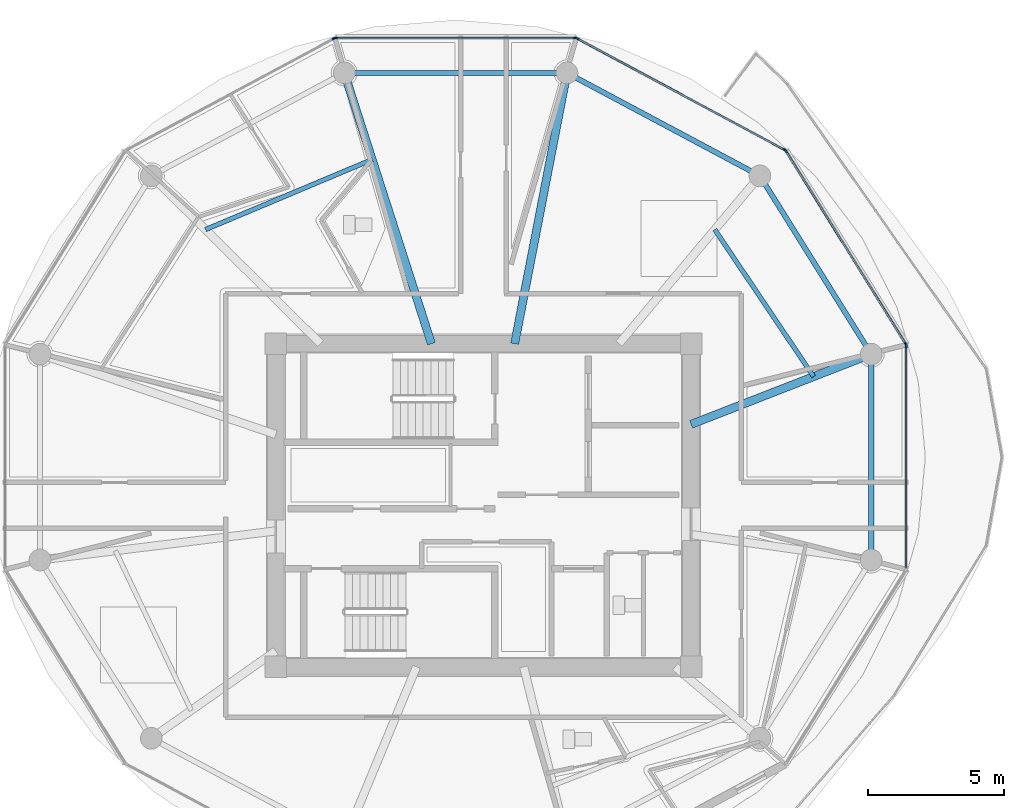
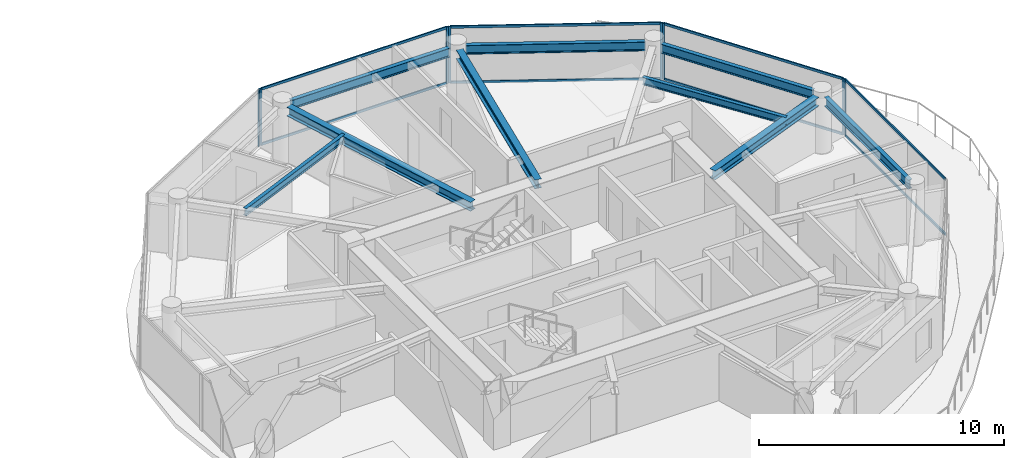
# One storey, part 11 of 25: 16 members, 9 beams, 5 elements without a shape of their own.
"""IFC4 building model written with IfcOpenShell, lengths in metres."""

from ifc_helpers import new_model, si_unit, direction, frame, origin, origin_2d, place, context, subcontext, project, spatial, rectangle, i_section, extrude, source, transform, mapped, material, layer, layer_set, material_profile, profile_set, type_object, type_shapes, element, aggregate, save


model = new_model("IFC4")

# Units and contexts
model_context = context("Model", 3, precision=1e-05, world=origin(), true_north=direction((0.0, 1.0)))
body_context = subcontext(model_context, "Body", "Model", "MODEL_VIEW")
ifc_project = project(units=[si_unit("LENGTHUNIT", "METRE"), si_unit("AREAUNIT", "SQUARE_METRE"), si_unit("VOLUMEUNIT", "CUBIC_METRE"), si_unit("PLANEANGLEUNIT", "RADIAN"), si_unit("MASSUNIT", "GRAM", prefix="KILO")], contexts=[model_context])

# Site, building, storey
site_placement = place(None, origin())
site = spatial("IfcSite", under=ifc_project, at=site_placement, CompositionType="ELEMENT")
building_placement = place(site_placement, origin())
building = spatial("IfcBuilding", under=site, at=building_placement, Name="Norrkilde Senior Care Towers", CompositionType="ELEMENT")
storey_placement = place(building_placement, frame((0.0, 0.0, 161.75)))
storey = spatial("IfcBuildingStorey", under=building, at=storey_placement, Name="L50", CompositionType="ELEMENT", Elevation=161.75)

# Beams
ifc_material_1 = material(Name="Steel S355", Category="steel")
ifc_material_profile_1 = material_profile(ifc_material_1, i_section(OverallWidth=0.18994140625, OverallDepth=0.449951171875, WebThickness=0.009521484375, FlangeThickness=0.0146484375, FilletRadius=0.02099609375, at=origin_2d()), Name="IPE 450")
ifc_profile_set_1 = profile_set([ifc_material_profile_1], Name="Steel S355")
beam_type_1 = type_object("IfcBeamType", Name="Perimeter Ring Spandrel Z3 IPE450", PredefinedType="SPANDREL", material=ifc_profile_set_1)
shared_shape_1 = source(origin(), body_context, "Body", "SweptSolid", [
    extrude(i_section(OverallWidth=0.18994140625, OverallDepth=0.449951171875, WebThickness=0.009521484375, FlangeThickness=0.0146484375, FilletRadius=0.02099609375, at=origin_2d()), origin(), (0.0, 0.0, 1.0), 7.0234375),
])
beam_1_placement = place(storey_placement, frame((42.09423828125, 5.872314453125, 2.5849609375), z_axis=(-0.529789577822, 0.848129119433, 0.0), x_axis=(-0.848129119433, -0.529789577822, 0.0)))
element("IfcBeam", 1, at=beam_1_placement, inside=storey, type_object=beam_type_1, Name="L50 Drum E Perimeter Spandrel 01", PredefinedType="SPANDREL", context=body_context, shape_type="MappedRepresentation", body=[
    mapped(shared_shape_1, transform((0.0, 0.0, 0.0), x_axis=(1.0, 0.0, 0.0), y_axis=(0.0, 1.0, 0.0), z_axis=(0.0, 0.0, 1.0), scale=1.0)),
])
shared_shape_2 = source(origin(), body_context, "Body", "SweptSolid", [
    extrude(i_section(OverallWidth=0.18994140625, OverallDepth=0.449951171875, WebThickness=0.009521484375, FlangeThickness=0.0146484375, FilletRadius=0.02099609375, at=origin_2d()), origin(), (0.0, 0.0, 1.0), 7.333740234375),
])
beam_2_placement = place(storey_placement, frame((37.864990234375, 12.303955078125, 2.5849609375), z_axis=(-0.882247866069, 0.470785198172, 0.0), x_axis=(-0.470785198172, -0.882247866069, 0.0)))
element("IfcBeam", 2, at=beam_2_placement, inside=storey, type_object=beam_type_1, Name="L50 Drum E Perimeter Spandrel 02", PredefinedType="SPANDREL", context=body_context, shape_type="MappedRepresentation", body=[
    mapped(shared_shape_2, transform((0.0, 0.0, 0.0), x_axis=(1.0, 0.0, 0.0), y_axis=(0.0, 1.0, 0.0), z_axis=(0.0, 0.0, 1.0), scale=1.0)),
])
shared_shape_3 = source(origin(), body_context, "Body", "SweptSolid", [
    extrude(i_section(OverallWidth=0.18994140625, OverallDepth=0.449951171875, WebThickness=0.009521484375, FlangeThickness=0.0146484375, FilletRadius=0.02099609375, at=origin_2d()), origin(), (0.0, 0.0, 1.0), 7.484619140625),
])
beam_3_placement = place(storey_placement, frame((30.71728515625, 15.92626953125, 2.5849609375), z_axis=(-1.0, 0.0, 0.0), x_axis=(0.0, -1.0, 0.0)))
element("IfcBeam", 3, at=beam_3_placement, inside=storey, type_object=beam_type_1, Name="L50 Drum E Perimeter Spandrel 03", PredefinedType="SPANDREL", context=body_context, shape_type="MappedRepresentation", body=[
    mapped(shared_shape_3, transform((0.0, 0.0, 0.0), x_axis=(1.0, 0.0, 0.0), y_axis=(0.0, 1.0, 0.0), z_axis=(0.0, 0.0, 1.0), scale=1.0)),
])
ifc_material_profile_2 = material_profile(ifc_material_1, i_section(OverallWidth=0.300048828125, OverallDepth=0.449951171875, WebThickness=0.013916015625, FlangeThickness=0.02587890625, FilletRadius=0.027099609375, at=origin_2d()), Name="HEB 450")
ifc_profile_set_2 = profile_set([ifc_material_profile_2], Name="Steel S355")
beam_type_2 = type_object("IfcBeamType", Name="Radial Floor Beam Z3 HEB450", PredefinedType="BEAM", material=ifc_profile_set_2)
shared_shape_4 = source(origin(), body_context, "Body", "SweptSolid", [
    extrude(i_section(OverallWidth=0.300048828125, OverallDepth=0.449951171875, WebThickness=0.013916015625, FlangeThickness=0.02587890625, FilletRadius=0.027099609375, at=origin_2d()), origin(), (0.0, 0.0, 1.0), 10.120361328125),
])
beam_4_placement = place(storey_placement, frame((26.08447265625, 5.949951171875, 2.5849609375), z_axis=(-0.306440973744, 0.951889662519, 0.0), x_axis=(-0.951889662519, -0.306440973744, 0.0)))
element("IfcBeam", 4, at=beam_4_placement, inside=storey, type_object=beam_type_2, Name="L50 Drum E Radial Floor Beam 04", PredefinedType="BEAM", context=body_context, shape_type="MappedRepresentation", body=[
    mapped(shared_shape_4, transform((0.0, 0.0, 0.0), x_axis=(1.0, 0.0, 0.0), y_axis=(0.0, 1.0, 0.0), z_axis=(0.0, 0.0, 1.0), scale=1.0)),
])
shared_shape_5 = source(origin(), body_context, "Body", "SweptSolid", [
    extrude(i_section(OverallWidth=0.300048828125, OverallDepth=0.449951171875, WebThickness=0.013916015625, FlangeThickness=0.02587890625, FilletRadius=0.027099609375, at=origin_2d()), origin(), (0.0, 0.0, 1.0), 9.80078125),
])
beam_5_placement = place(storey_placement, frame((29.149658203125, 5.949951171875, 2.5849609375), z_axis=(0.189716727661, 0.98183886827, 0.0), x_axis=(-0.98183886827, 0.189716727661, 0.0)))
element("IfcBeam", 5, at=beam_5_placement, inside=storey, type_object=beam_type_2, Name="L50 Drum E Radial Floor Beam 03", PredefinedType="BEAM", context=body_context, shape_type="MappedRepresentation", body=[
    mapped(shared_shape_5, transform((0.0, 0.0, 0.0), x_axis=(1.0, 0.0, 0.0), y_axis=(0.0, 1.0, 0.0), z_axis=(0.0, 0.0, 1.0), scale=1.0)),
])
shared_shape_6 = source(origin(), body_context, "Body", "SweptSolid", [
    extrude(i_section(OverallWidth=0.18994140625, OverallDepth=0.449951171875, WebThickness=0.009521484375, FlangeThickness=0.0146484375, FilletRadius=0.02099609375, at=origin_2d()), origin(), (0.0, 0.0, 1.0), 6.86328125),
])
type_shapes(beam_type_1, [shared_shape_1, shared_shape_2, shared_shape_3, shared_shape_6])
beam_6_placement = place(storey_placement, frame((42.284912109375, -1.65625, 2.5849609375), z_axis=(0.0, 1.0, 0.0), x_axis=(-1.0, 0.0, 0.0)))
element("IfcBeam", 6, at=beam_6_placement, inside=storey, type_object=beam_type_1, Name="L50 Drum E Perimeter Spandrel 12", PredefinedType="SPANDREL", context=body_context, shape_type="MappedRepresentation", body=[
    mapped(shared_shape_6, transform((0.0, 0.0, 0.0), x_axis=(1.0, 0.0, 0.0), y_axis=(0.0, 1.0, 0.0), z_axis=(0.0, 0.0, 1.0), scale=1.0)),
])
shared_shape_7 = source(origin(), body_context, "Body", "SweptSolid", [
    extrude(i_section(OverallWidth=0.300048828125, OverallDepth=0.449951171875, WebThickness=0.013916015625, FlangeThickness=0.02587890625, FilletRadius=0.027099609375, at=origin_2d()), origin(), (0.0, 0.0, 1.0), 6.760986328125),
])
type_shapes(beam_type_2, [shared_shape_4, shared_shape_5, shared_shape_7])
beam_7_placement = place(storey_placement, frame((35.64990234375, 2.981201171875, 2.5849609375), z_axis=(0.931742171387, 0.363120539297, 0.0), x_axis=(-0.363120539297, 0.931742171387, 0.0)))
element("IfcBeam", 7, at=beam_7_placement, inside=storey, type_object=beam_type_2, Name="L50 Drum E Radial Floor Beam 01", PredefinedType="BEAM", context=body_context, shape_type="MappedRepresentation", body=[
    mapped(shared_shape_7, transform((0.0, 0.0, 0.0), x_axis=(1.0, 0.0, 0.0), y_axis=(0.0, 1.0, 0.0), z_axis=(0.0, 0.0, 1.0), scale=1.0)),
])
ifc_material_profile_3 = material_profile(ifc_material_1, i_section(OverallWidth=0.169921875, OverallDepth=0.360107421875, WebThickness=0.008056640625, FlangeThickness=0.0126953125, FilletRadius=0.01806640625, at=origin_2d()), Name="IPE 360")
ifc_profile_set_3 = profile_set([ifc_material_profile_3], Name="Steel S355")
beam_type_3 = type_object("IfcBeamType", Name="Secondary Floor Joist IPE360", PredefinedType="JOIST", material=ifc_profile_set_3)
shared_shape_8 = source(origin(), body_context, "Body", "SweptSolid", [
    extrude(i_section(OverallWidth=0.169921875, OverallDepth=0.360107421875, WebThickness=0.008056640625, FlangeThickness=0.0126953125, FilletRadius=0.01806640625, at=origin_2d()), origin(), (0.0, 0.0, 1.0), 6.657470703125),
])
beam_8_placement = place(storey_placement, frame((23.900390625, 12.73388671875, 2.6298828125), z_axis=(-0.921958799252, -0.387287971, 0.0), x_axis=(0.387287971, -0.921958799252, 0.0)))
element("IfcBeam", 8, at=beam_8_placement, inside=storey, type_object=beam_type_3, Name="L50 Drum E Secondary Floor Joist 2", PredefinedType="JOIST", context=body_context, shape_type="MappedRepresentation", body=[
    mapped(shared_shape_8, transform((0.0, 0.0, 0.0), x_axis=(1.0, 0.0, 0.0), y_axis=(0.0, 1.0, 0.0), z_axis=(0.0, 0.0, 1.0), scale=1.0)),
])
shared_shape_9 = source(origin(), body_context, "Body", "SweptSolid", [
    extrude(i_section(OverallWidth=0.169921875, OverallDepth=0.360107421875, WebThickness=0.008056640625, FlangeThickness=0.0126953125, FilletRadius=0.01806640625, at=origin_2d()), origin(), (0.0, 0.0, 1.0), 6.525390625),
])
type_shapes(beam_type_3, [shared_shape_8, shared_shape_9])
beam_9_placement = place(storey_placement, frame((40.161865234375, 4.739501953125, 2.6298828125), z_axis=(-0.55779590102, 0.829978152005, 0.0), x_axis=(-0.829978152005, -0.55779590102, 0.0)))
element("IfcBeam", 9, at=beam_9_placement, inside=storey, type_object=beam_type_3, Name="L50 Drum E Secondary Floor Joist 1", PredefinedType="JOIST", context=body_context, shape_type="MappedRepresentation", body=[
    mapped(shared_shape_9, transform((0.0, 0.0, 0.0), x_axis=(1.0, 0.0, 0.0), y_axis=(0.0, 1.0, 0.0), z_axis=(0.0, 0.0, 1.0), scale=1.0)),
])

# Curtain wall, members
ifc_material_2 = material(Name="Triple Low-E Insulated Glazing", Category="glass")
ifc_layer = layer(ifc_material_2, 0.18994140625)
ifc_layer_set = layer_set([ifc_layer], Name="Triple Low-E Insulated Glazing")
curtain_wall_type = type_object("IfcCurtainWallType", Name="CW4 Zone 3 Senior Residence Curtain Wall", PredefinedType="NOTDEFINED", material=ifc_layer_set)
curtain_wall_1_placement = place(storey_placement, origin())
curtain_wall_1 = element("IfcCurtainWall", 10, at=curtain_wall_1_placement, inside=storey, type_object=curtain_wall_type, Name="L50 Drum E Curtain Wall 00", PredefinedType="NOTDEFINED")
ifc_material_3 = material(Name="Anodised Aluminium", Category="aluminium")
ifc_material_profile_4 = material_profile(ifc_material_3, rectangle(XDim=0.06494140625, YDim=0.14990234375, at=origin_2d()), Name="ALU MULL 65x150")
ifc_profile_set_4 = profile_set([ifc_material_profile_4], Name="Anodised Aluminium")
member_type_1 = type_object("IfcMemberType", Name="Curtain Wall Mullion Z3-Z4 65x150", PredefinedType="MULLION", material=ifc_profile_set_4)
shared_shape_10 = source(origin(), body_context, "Body", "SweptSolid", [
    extrude(rectangle(XDim=0.06494140625, YDim=0.14990234375, at=origin_2d()), origin(), (0.0, 0.0, 1.0), 2.81005859375),
])
type_shapes(member_type_1, [shared_shape_10])
member_1_placement = place(storey_placement, frame((39.14013671875, 13.04736328125, 0.0), z_axis=(0.0, 0.0, 1.0), x_axis=(0.84963405474, 0.52737270789, 0.0)))
member_1 = element("IfcMember", 11, at=member_1_placement, type_object=member_type_1, Name="CW-4 mullion 1", PredefinedType="MULLION", context=body_context, shape_type="MappedRepresentation", body=[
    mapped(shared_shape_10, transform((0.0, 0.0, 0.0), x_axis=(1.0, 0.0, 0.0), y_axis=(0.0, 1.0, 0.0), z_axis=(0.0, 0.0, 1.0), scale=1.0)),
])
member_2_placement = place(storey_placement, frame((43.552490234375, 5.93896484375, 0.0), z_axis=(0.0, 0.0, 1.0), x_axis=(0.84963405474, 0.52737270789, 0.0)))
member_2 = element("IfcMember", 12, at=member_2_placement, type_object=member_type_1, Name="CW-4 mullion 2", PredefinedType="MULLION", context=body_context, shape_type="MappedRepresentation", body=[
    mapped(shared_shape_10, transform((0.0, 0.0, 0.0), x_axis=(1.0, 0.0, 0.0), y_axis=(0.0, 1.0, 0.0), z_axis=(0.0, 0.0, 1.0), scale=1.0)),
])

curtain_wall_2_placement = place(storey_placement, origin())
curtain_wall_2 = element("IfcCurtainWall", 13, at=curtain_wall_2_placement, inside=storey, type_object=curtain_wall_type, Name="L50 Drum E Curtain Wall 01", PredefinedType="NOTDEFINED")
member_3_placement = place(storey_placement, frame((31.4501953125, 17.195556640625, 0.0), z_axis=(0.0, 0.0, 1.0), x_axis=(0.47311715104, 0.880999524059, 0.0)))
member_3 = element("IfcMember", 14, at=member_3_placement, type_object=member_type_1, Name="CW-4 mullion 1", PredefinedType="MULLION", context=body_context, shape_type="MappedRepresentation", body=[
    mapped(shared_shape_10, transform((0.0, 0.0, 0.0), x_axis=(1.0, 0.0, 0.0), y_axis=(0.0, 1.0, 0.0), z_axis=(0.0, 0.0, 1.0), scale=1.0)),
])
member_4_placement = place(storey_placement, frame((39.094482421875, 13.09033203125, 0.0), z_axis=(0.0, 0.0, 1.0), x_axis=(0.47311715104, 0.880999524059, 0.0)))
member_4 = element("IfcMember", 15, at=member_4_placement, type_object=member_type_1, Name="CW-4 mullion 2", PredefinedType="MULLION", context=body_context, shape_type="MappedRepresentation", body=[
    mapped(shared_shape_10, transform((0.0, 0.0, 0.0), x_axis=(1.0, 0.0, 0.0), y_axis=(0.0, 1.0, 0.0), z_axis=(0.0, 0.0, 1.0), scale=1.0)),
])

curtain_wall_3_placement = place(storey_placement, origin())
curtain_wall_3 = element("IfcCurtainWall", 16, at=curtain_wall_3_placement, inside=storey, type_object=curtain_wall_type, Name="L50 Drum E Curtain Wall 02", PredefinedType="NOTDEFINED")
member_5_placement = place(storey_placement, frame((22.56103515625, 17.2109375, 0.0), z_axis=(0.0, 0.0, 1.0), x_axis=(0.0, 1.0, 0.0)))
member_5 = element("IfcMember", 17, at=member_5_placement, type_object=member_type_1, Name="CW-4 mullion 1", PredefinedType="MULLION", context=body_context, shape_type="MappedRepresentation", body=[
    mapped(shared_shape_10, transform((0.0, 0.0, 0.0), x_axis=(1.0, 0.0, 0.0), y_axis=(0.0, 1.0, 0.0), z_axis=(0.0, 0.0, 1.0), scale=1.0)),
])
member_6_placement = place(storey_placement, frame((31.388916015625, 17.2109375, 0.0), z_axis=(0.0, 0.0, 1.0), x_axis=(0.0, 1.0, 0.0)))
member_6 = element("IfcMember", 18, at=member_6_placement, type_object=member_type_1, Name="CW-4 mullion 2", PredefinedType="MULLION", context=body_context, shape_type="MappedRepresentation", body=[
    mapped(shared_shape_10, transform((0.0, 0.0, 0.0), x_axis=(1.0, 0.0, 0.0), y_axis=(0.0, 1.0, 0.0), z_axis=(0.0, 0.0, 1.0), scale=1.0)),
])

# Curtain wall, member
curtain_wall_4_placement = place(storey_placement, origin())
curtain_wall_4 = element("IfcCurtainWall", 19, at=curtain_wall_4_placement, inside=storey, type_object=curtain_wall_type, Name="L50 Drum E Curtain Wall 03", PredefinedType="NOTDEFINED")
member_7_placement = place(storey_placement, frame((22.499755859375, 17.195556640625, 0.0), z_axis=(0.0, 0.0, 1.0), x_axis=(-0.47311715104, 0.880999524059, 0.0)))
member_7 = element("IfcMember", 20, at=member_7_placement, type_object=member_type_1, Name="CW-4 mullion 2", PredefinedType="MULLION", context=body_context, shape_type="MappedRepresentation", body=[
    mapped(shared_shape_10, transform((0.0, 0.0, 0.0), x_axis=(1.0, 0.0, 0.0), y_axis=(0.0, 1.0, 0.0), z_axis=(0.0, 0.0, 1.0), scale=1.0)),
])
aggregate(curtain_wall_4, [member_7])

curtain_wall_5_placement = place(storey_placement, origin())
curtain_wall_5 = element("IfcCurtainWall", 21, at=curtain_wall_5_placement, inside=storey, type_object=curtain_wall_type, Name="L50 Drum E Curtain Wall 11", PredefinedType="NOTDEFINED")
member_8_placement = place(storey_placement, frame((43.569580078125, 5.878662109375, 0.0), z_axis=(0.0, 0.0, 1.0), x_axis=(1.0, 0.0, 0.0)))
member_8 = element("IfcMember", 22, at=member_8_placement, type_object=member_type_1, Name="CW-4 mullion 1", PredefinedType="MULLION", context=body_context, shape_type="MappedRepresentation", body=[
    mapped(shared_shape_10, transform((0.0, 0.0, 0.0), x_axis=(1.0, 0.0, 0.0), y_axis=(0.0, 1.0, 0.0), z_axis=(0.0, 0.0, 1.0), scale=1.0)),
])

# Member
ifc_material_profile_5 = material_profile(ifc_material_3, rectangle(XDim=0.06005859375, YDim=0.1201171875, at=origin_2d()), Name="ALU TRAN 60x120")
ifc_profile_set_5 = profile_set([ifc_material_profile_5], Name="Anodised Aluminium")
member_type_2 = type_object("IfcMemberType", Name="Curtain Wall Transom Typical 60x120", PredefinedType="USERDEFINED", material=ifc_profile_set_5)
shared_shape_11 = source(origin(), body_context, "Body", "SweptSolid", [
    extrude(rectangle(XDim=0.06005859375, YDim=0.1201171875, at=origin_2d()), origin(), (0.0, 0.0, 1.0), 8.301513671875),
])
member_9_placement = place(storey_placement, frame((39.157470703125, 13.019775390625, 0.030029296875), z_axis=(0.527368718394, -0.849636531029, 0.0), x_axis=(0.849636531029, 0.527368718394, 0.0)))
member_9 = element("IfcMember", 23, at=member_9_placement, type_object=member_type_2, Name="CW-4 transom 1.1", ObjectType="TRANSOM", PredefinedType="USERDEFINED", context=body_context, shape_type="MappedRepresentation", body=[
    mapped(shared_shape_11, transform((0.0, 0.0, 0.0), x_axis=(1.0, 0.0, 0.0), y_axis=(0.0, 1.0, 0.0), z_axis=(0.0, 0.0, 1.0), scale=1.0)),
])

member_10_placement = place(storey_placement, frame((39.157470703125, 13.019775390625, 2.780029296875), z_axis=(0.527368718394, -0.849636531029, 0.0), x_axis=(0.849636531029, 0.527368718394, 0.0)))
member_10 = element("IfcMember", 24, at=member_10_placement, type_object=member_type_2, Name="CW-4 transom 1.2", ObjectType="TRANSOM", PredefinedType="USERDEFINED", context=body_context, shape_type="MappedRepresentation", body=[
    mapped(shared_shape_11, transform((0.0, 0.0, 0.0), x_axis=(1.0, 0.0, 0.0), y_axis=(0.0, 1.0, 0.0), z_axis=(0.0, 0.0, 1.0), scale=1.0)),
])

aggregate(curtain_wall_1, [member_1, member_2, member_9, member_10])

shared_shape_12 = source(origin(), body_context, "Body", "SweptSolid", [
    extrude(rectangle(XDim=0.06005859375, YDim=0.1201171875, at=origin_2d()), origin(), (0.0, 0.0, 1.0), 8.762939453125),
])
member_11_placement = place(storey_placement, frame((22.593505859375, 17.2109375, 0.030029296875), z_axis=(1.0, 0.0, 0.0), x_axis=(0.0, 1.0, 0.0)))
member_11 = element("IfcMember", 25, at=member_11_placement, type_object=member_type_2, Name="CW-4 transom 1.1", ObjectType="TRANSOM", PredefinedType="USERDEFINED", context=body_context, shape_type="MappedRepresentation", body=[
    mapped(shared_shape_12, transform((0.0, 0.0, 0.0), x_axis=(1.0, 0.0, 0.0), y_axis=(0.0, 1.0, 0.0), z_axis=(0.0, 0.0, 1.0), scale=1.0)),
])

member_12_placement = place(storey_placement, frame((22.593505859375, 17.2109375, 2.780029296875), z_axis=(1.0, 0.0, 0.0), x_axis=(0.0, 1.0, 0.0)))
member_12 = element("IfcMember", 26, at=member_12_placement, type_object=member_type_2, Name="CW-4 transom 1.2", ObjectType="TRANSOM", PredefinedType="USERDEFINED", context=body_context, shape_type="MappedRepresentation", body=[
    mapped(shared_shape_12, transform((0.0, 0.0, 0.0), x_axis=(1.0, 0.0, 0.0), y_axis=(0.0, 1.0, 0.0), z_axis=(0.0, 0.0, 1.0), scale=1.0)),
])

aggregate(curtain_wall_3, [member_5, member_6, member_11, member_12])

shared_shape_13 = source(origin(), body_context, "Body", "SweptSolid", [
    extrude(rectangle(XDim=0.06005859375, YDim=0.1201171875, at=origin_2d()), origin(), (0.0, 0.0, 1.0), 8.612060546875),
])
member_13_placement = place(storey_placement, frame((31.478759765625, 17.18017578125, 0.030029296875), z_axis=(0.881000337462, -0.473115636384, 0.0), x_axis=(0.473115636384, 0.881000337462, 0.0)))
member_13 = element("IfcMember", 27, at=member_13_placement, type_object=member_type_2, Name="CW-4 transom 1.1", ObjectType="TRANSOM", PredefinedType="USERDEFINED", context=body_context, shape_type="MappedRepresentation", body=[
    mapped(shared_shape_13, transform((0.0, 0.0, 0.0), x_axis=(1.0, 0.0, 0.0), y_axis=(0.0, 1.0, 0.0), z_axis=(0.0, 0.0, 1.0), scale=1.0)),
])

member_14_placement = place(storey_placement, frame((31.478759765625, 17.18017578125, 2.780029296875), z_axis=(0.881000337462, -0.473115636384, 0.0), x_axis=(0.473115636384, 0.881000337462, 0.0)))
member_14 = element("IfcMember", 28, at=member_14_placement, type_object=member_type_2, Name="CW-4 transom 1.2", ObjectType="TRANSOM", PredefinedType="USERDEFINED", context=body_context, shape_type="MappedRepresentation", body=[
    mapped(shared_shape_13, transform((0.0, 0.0, 0.0), x_axis=(1.0, 0.0, 0.0), y_axis=(0.0, 1.0, 0.0), z_axis=(0.0, 0.0, 1.0), scale=1.0)),
])

aggregate(curtain_wall_2, [member_3, member_4, member_13, member_14])

shared_shape_14 = source(origin(), body_context, "Body", "SweptSolid", [
    extrude(rectangle(XDim=0.06005859375, YDim=0.1201171875, at=origin_2d()), origin(), (0.0, 0.0, 1.0), 8.141845703125),
])
type_shapes(member_type_2, [shared_shape_11, shared_shape_12, shared_shape_13, shared_shape_14])
member_15_placement = place(storey_placement, frame((43.569580078125, 5.84619140625, 0.030029296875), z_axis=(0.0, -1.0, 0.0), x_axis=(1.0, 0.0, 0.0)))
member_15 = element("IfcMember", 29, at=member_15_placement, type_object=member_type_2, Name="CW-4 transom 1.1", ObjectType="TRANSOM", PredefinedType="USERDEFINED", context=body_context, shape_type="MappedRepresentation", body=[
    mapped(shared_shape_14, transform((0.0, 0.0, 0.0), x_axis=(1.0, 0.0, 0.0), y_axis=(0.0, 1.0, 0.0), z_axis=(0.0, 0.0, 1.0), scale=1.0)),
])

member_16_placement = place(storey_placement, frame((43.569580078125, 5.84619140625, 2.780029296875), z_axis=(0.0, -1.0, 0.0), x_axis=(1.0, 0.0, 0.0)))
member_16 = element("IfcMember", 30, at=member_16_placement, type_object=member_type_2, Name="CW-4 transom 1.2", ObjectType="TRANSOM", PredefinedType="USERDEFINED", context=body_context, shape_type="MappedRepresentation", body=[
    mapped(shared_shape_14, transform((0.0, 0.0, 0.0), x_axis=(1.0, 0.0, 0.0), y_axis=(0.0, 1.0, 0.0), z_axis=(0.0, 0.0, 1.0), scale=1.0)),
])

aggregate(curtain_wall_5, [member_8, member_15, member_16])

save(model, "model.ifc")
